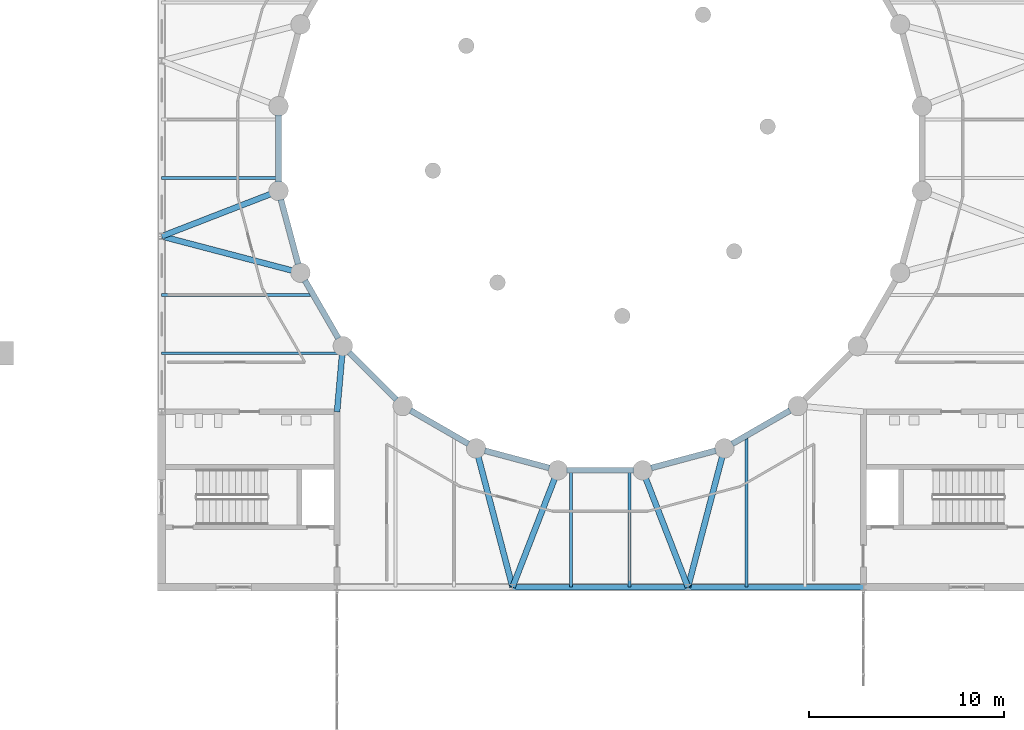
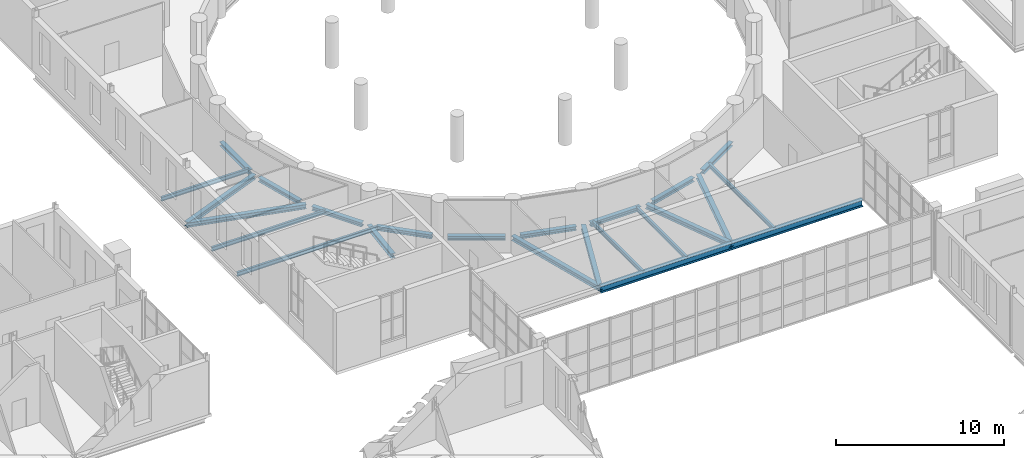
# One storey, part 45 of 134: 24 beams.
"""IFC4 building model written with IfcOpenShell, lengths in metres."""

from ifc_helpers import new_model, si_unit, direction, frame, origin, origin_2d, place, context, subcontext, project, spatial, i_section, extrude, material, material_profile, profile_set, type_object, element, save


model = new_model("IFC4")

# Units and contexts
model_context = context("Model", 3, precision=1e-05, world=origin(), true_north=direction((0.0, 1.0)))
body_context = subcontext(model_context, "Body", "Model", "MODEL_VIEW")
ifc_project = project(units=[si_unit("LENGTHUNIT", "METRE"), si_unit("AREAUNIT", "SQUARE_METRE"), si_unit("VOLUMEUNIT", "CUBIC_METRE"), si_unit("PLANEANGLEUNIT", "RADIAN"), si_unit("MASSUNIT", "GRAM", prefix="KILO")], contexts=[model_context])

# Site, building, storey
site_placement = place(None, origin())
site = spatial("IfcSite", under=ifc_project, at=site_placement, CompositionType="ELEMENT")
building_placement = place(site_placement, origin())
building = spatial("IfcBuilding", under=site, at=building_placement, Name="Golden Quay Civic Hall", CompositionType="ELEMENT")
storey_placement = place(building_placement, frame((0.0, 0.0, 5.39990234375)))
storey = spatial("IfcBuildingStorey", under=building, at=storey_placement, Name="L01", CompositionType="ELEMENT", Elevation=5.39990234375)

# Beams
ifc_material_1 = material(Name="Steel S355", Category="steel")
ifc_material_profile_1 = material_profile(ifc_material_1, i_section(OverallWidth=0.300048828125, OverallDepth=0.330078125, WebThickness=0.009521484375, FlangeThickness=0.0166015625, FilletRadius=0.027099609375, at=origin_2d()), Name="HEA 340")
ifc_profile_set_1 = profile_set([ifc_material_profile_1], Name="Steel S355")
beam_type_1 = type_object("IfcBeamType", Name="Steel girder HEA 340", PredefinedType="BEAM", material=ifc_profile_set_1)
beam_1_placement = place(storey_placement, frame((81.0, 63.0, -0.364990234375), z_axis=(0.361677257017, 0.932303363588, 0.0), x_axis=(-0.932303363588, 0.361677257017, 0.0)))
element("IfcBeam", 1, at=beam_1_placement, inside=storey, type_object=beam_type_1, Name="Radial girder 1", PredefinedType="BEAM", context=body_context, shape_type="SweptSolid", body=[
    extrude(i_section(OverallWidth=0.300048828125, OverallDepth=0.330078125, WebThickness=0.009521484375, FlangeThickness=0.0166015625, FilletRadius=0.027099609375, at=origin_2d()), origin(), (0.0, 0.0, 1.0), 6.435791015625),
])
beam_2_placement = place(storey_placement, frame((81.0, 63.0, -0.364990234375), z_axis=(-0.253703537011, 0.9672820247, 0.0), x_axis=(-0.9672820247, -0.253703537011, 0.0)))
element("IfcBeam", 2, at=beam_2_placement, inside=storey, type_object=beam_type_1, Name="Radial girder 2", PredefinedType="BEAM", context=body_context, shape_type="SweptSolid", body=[
    extrude(i_section(OverallWidth=0.300048828125, OverallDepth=0.330078125, WebThickness=0.009521484375, FlangeThickness=0.0166015625, FilletRadius=0.027099609375, at=origin_2d()), origin(), (0.0, 0.0, 1.0), 7.365478515625),
])
beam_3_placement = place(storey_placement, frame((90.0, 63.0, -0.364990234375), z_axis=(-0.361677257017, 0.932303363588, 0.0), x_axis=(-0.932303363588, -0.361677257017, 0.0)))
element("IfcBeam", 3, at=beam_3_placement, inside=storey, type_object=beam_type_1, Name="Radial girder 3", PredefinedType="BEAM", context=body_context, shape_type="SweptSolid", body=[
    extrude(i_section(OverallWidth=0.300048828125, OverallDepth=0.330078125, WebThickness=0.009521484375, FlangeThickness=0.0166015625, FilletRadius=0.027099609375, at=origin_2d()), origin(), (0.0, 0.0, 1.0), 6.435791015625),
])
beam_4_placement = place(storey_placement, frame((90.0, 63.0, -0.364990234375), z_axis=(0.253703537011, 0.9672820247, 0.0), x_axis=(-0.9672820247, 0.253703537011, 0.0)))
element("IfcBeam", 4, at=beam_4_placement, inside=storey, type_object=beam_type_1, Name="Radial girder 4", PredefinedType="BEAM", context=body_context, shape_type="SweptSolid", body=[
    extrude(i_section(OverallWidth=0.300048828125, OverallDepth=0.330078125, WebThickness=0.009521484375, FlangeThickness=0.0166015625, FilletRadius=0.027099609375, at=origin_2d()), origin(), (0.0, 0.0, 1.0), 7.365478515625),
])
beam_5_placement = place(storey_placement, frame((63.0, 81.0, -0.364990234375), z_axis=(0.932303363588, 0.361677257017, 0.0), x_axis=(-0.361677257017, 0.932303363588, 0.0)))
element("IfcBeam", 5, at=beam_5_placement, inside=storey, type_object=beam_type_1, Name="Radial girder 9", PredefinedType="BEAM", context=body_context, shape_type="SweptSolid", body=[
    extrude(i_section(OverallWidth=0.300048828125, OverallDepth=0.330078125, WebThickness=0.009521484375, FlangeThickness=0.0166015625, FilletRadius=0.027099609375, at=origin_2d()), origin(), (0.0, 0.0, 1.0), 6.435791015625),
])
beam_6_placement = place(storey_placement, frame((63.0, 81.0, -0.364990234375), z_axis=(0.9672820247, -0.253703537011, 0.0), x_axis=(0.253703537011, 0.9672820247, 0.0)))
element("IfcBeam", 6, at=beam_6_placement, inside=storey, type_object=beam_type_1, Name="Radial girder 10", PredefinedType="BEAM", context=body_context, shape_type="SweptSolid", body=[
    extrude(i_section(OverallWidth=0.300048828125, OverallDepth=0.330078125, WebThickness=0.009521484375, FlangeThickness=0.0166015625, FilletRadius=0.027099609375, at=origin_2d()), origin(), (0.0, 0.0, 1.0), 7.365478515625),
])
beam_7_placement = place(storey_placement, frame((72.0, 72.0, -0.364990234375), z_axis=(0.087716822918, 0.996145450714, 0.0), x_axis=(-0.996145450714, 0.087716822918, 0.0)))
element("IfcBeam", 7, at=beam_7_placement, inside=storey, type_object=beam_type_1, Name="Radial girder 17", PredefinedType="BEAM", context=body_context, shape_type="SweptSolid", body=[
    extrude(i_section(OverallWidth=0.300048828125, OverallDepth=0.330078125, WebThickness=0.009521484375, FlangeThickness=0.0166015625, FilletRadius=0.027099609375, at=origin_2d()), origin(), (0.0, 0.0, 1.0), 3.381591796875),
])
ifc_material_2 = material(Name="Steel S355", Category="steel")
ifc_material_profile_2 = material_profile(ifc_material_2, i_section(OverallWidth=0.300048828125, OverallDepth=0.489990234375, WebThickness=0.011962890625, FlangeThickness=0.02294921875, FilletRadius=0.027099609375, at=origin_2d()), Name="HEA 500")
ifc_profile_set_2 = profile_set([ifc_material_profile_2], Name="Steel S355")
beam_type_2 = type_object("IfcBeamType", Name="Steel girder HEA 500", PredefinedType="BEAM", material=ifc_profile_set_2)
for number, where, z_axis, x_axis, name in (
    (8, (81.0, 63.0, -0.44482421875), (1.0, 0.0, 0.0), (0.0, 1.0, 0.0), "Perimeter girder 5"),
    (9, (90.0, 63.0, -0.44482421875), (1.0, 0.0, 0.0), (0.0, 1.0, 0.0), "Perimeter girder 9"),
):
    element("IfcBeam", number, at=place(storey_placement, frame(where, z_axis=z_axis, x_axis=x_axis)), inside=storey, type_object=beam_type_2, Name=name, PredefinedType="BEAM", context=body_context, shape_type="SweptSolid", body=[
        extrude(i_section(OverallWidth=0.300048828125, OverallDepth=0.489990234375, WebThickness=0.011962890625, FlangeThickness=0.02294921875, FilletRadius=0.027099609375, at=origin_2d()), origin(), (0.0, 0.0, 1.0), 9.0),
    ])
ifc_material_3 = material(Name="Steel S355", Category="steel")
ifc_material_profile_3 = material_profile(ifc_material_3, i_section(OverallWidth=0.14990234375, OverallDepth=0.300048828125, WebThickness=0.007080078125, FlangeThickness=0.0107421875, FilletRadius=0.014892578125, at=origin_2d()), Name="IPE 300")
ifc_profile_set_3 = profile_set([ifc_material_profile_3], Name="Steel S355")
beam_type_3 = type_object("IfcBeamType", Name="Steel joist IPE 300", PredefinedType="JOIST", material=ifc_profile_set_3)
for number, where, z_axis, x_axis, name in (
    (10, (84.0, 63.0, -0.349853515625), (0.0, 1.0, 0.0), (-1.0, 0.0, 0.0), "Floor joist 3"),
    (11, (87.0, 63.0, -0.349853515625), (0.0, 1.0, 0.0), (-1.0, 0.0, 0.0), "Floor joist 4"),
):
    element("IfcBeam", number, at=place(storey_placement, frame(where, z_axis=z_axis, x_axis=x_axis)), inside=storey, type_object=beam_type_3, Name=name, PredefinedType="JOIST", context=body_context, shape_type="SweptSolid", body=[
        extrude(i_section(OverallWidth=0.14990234375, OverallDepth=0.300048828125, WebThickness=0.007080078125, FlangeThickness=0.0107421875, FilletRadius=0.014892578125, at=origin_2d()), origin(), (0.0, 0.0, 1.0), 6.0),
    ])
beam_8_placement = place(storey_placement, frame((93.0, 63.0, -0.349853515625), z_axis=(0.0, 1.0, 0.0), x_axis=(-1.0, 0.0, 0.0)))
element("IfcBeam", 12, at=beam_8_placement, inside=storey, type_object=beam_type_3, Name="Floor joist 5", PredefinedType="JOIST", context=body_context, shape_type="SweptSolid", body=[
    extrude(i_section(OverallWidth=0.14990234375, OverallDepth=0.300048828125, WebThickness=0.007080078125, FlangeThickness=0.0107421875, FilletRadius=0.014892578125, at=origin_2d()), origin(), (0.0, 0.0, 1.0), 7.777587890625),
])
beam_9_placement = place(storey_placement, frame((63.0, 75.0, -0.349853515625), z_axis=(1.0, 0.0, 0.0), x_axis=(0.0, 1.0, 0.0)))
element("IfcBeam", 13, at=beam_9_placement, inside=storey, type_object=beam_type_3, Name="Floor joist 13", PredefinedType="JOIST", context=body_context, shape_type="SweptSolid", body=[
    extrude(i_section(OverallWidth=0.14990234375, OverallDepth=0.300048828125, WebThickness=0.007080078125, FlangeThickness=0.0107421875, FilletRadius=0.014892578125, at=origin_2d()), origin(), (0.0, 0.0, 1.0), 9.66552734375),
])
beam_10_placement = place(storey_placement, frame((63.0, 78.0, -0.349853515625), z_axis=(1.0, 0.0, 0.0), x_axis=(0.0, 1.0, 0.0)))
element("IfcBeam", 14, at=beam_10_placement, inside=storey, type_object=beam_type_3, Name="Floor joist 14", PredefinedType="JOIST", context=body_context, shape_type="SweptSolid", body=[
    extrude(i_section(OverallWidth=0.14990234375, OverallDepth=0.300048828125, WebThickness=0.007080078125, FlangeThickness=0.0107421875, FilletRadius=0.014892578125, at=origin_2d()), origin(), (0.0, 0.0, 1.0), 7.777587890625),
])
beam_11_placement = place(storey_placement, frame((63.0, 84.0, -0.349853515625), z_axis=(1.0, 0.0, 0.0), x_axis=(0.0, 1.0, 0.0)))
element("IfcBeam", 15, at=beam_11_placement, inside=storey, type_object=beam_type_3, Name="Floor joist 15", PredefinedType="JOIST", context=body_context, shape_type="SweptSolid", body=[
    extrude(i_section(OverallWidth=0.14990234375, OverallDepth=0.300048828125, WebThickness=0.007080078125, FlangeThickness=0.0107421875, FilletRadius=0.014892578125, at=origin_2d()), origin(), (0.0, 0.0, 1.0), 6.0),
])
ifc_material_4 = material(Name="Steel S355", Category="steel")
ifc_material_profile_4 = material_profile(ifc_material_4, i_section(OverallWidth=0.300048828125, OverallDepth=0.2900390625, WebThickness=0.008544921875, FlangeThickness=0.013916015625, FilletRadius=0.027099609375, at=origin_2d()), Name="HEA 300")
ifc_profile_set_4 = profile_set([ifc_material_profile_4], Name="Steel S355")
beam_type_4 = type_object("IfcBeamType", Name="Steel ring girder HEA 300", PredefinedType="BEAM", material=ifc_profile_set_4)
beam_12_placement = place(storey_placement, frame((69.0, 87.22216796875, -0.344970703125), z_axis=(0.0, -1.0, 0.0), x_axis=(1.0, 0.0, 0.0)))
element("IfcBeam", 16, at=beam_12_placement, inside=storey, type_object=beam_type_4, Name="Rotunda ring girder segment 12", PredefinedType="BEAM", context=body_context, shape_type="SweptSolid", body=[
    extrude(i_section(OverallWidth=0.300048828125, OverallDepth=0.2900390625, WebThickness=0.008544921875, FlangeThickness=0.013916015625, FilletRadius=0.027099609375, at=origin_2d()), origin(), (0.0, 0.0, 1.0), 3.4443359375),
])
for number, where, z_axis, x_axis, name in (
    (17, (69.116455078125, 82.89306640625, -0.344970703125), (0.258844730128, -0.965918943641, 0.0), (0.965918943641, 0.258844730128, 0.0), "Rotunda ring girder segment 13"),
    (18, (70.349365234375, 78.741455078125, -0.344970703125), (0.500049671601, -0.865996723973, 0.0), (0.865996723973, 0.500049671601, 0.0), "Rotunda ring girder segment 14"),
):
    element("IfcBeam", number, at=place(storey_placement, frame(where, z_axis=z_axis, x_axis=x_axis)), inside=storey, type_object=beam_type_4, Name=name, PredefinedType="BEAM", context=body_context, shape_type="SweptSolid", body=[
        extrude(i_section(OverallWidth=0.300048828125, OverallDepth=0.2900390625, WebThickness=0.008544921875, FlangeThickness=0.013916015625, FilletRadius=0.027099609375, at=origin_2d()), origin(), (0.0, 0.0, 1.0), 3.444580078125),
    ])
beam_13_placement = place(storey_placement, frame((72.614990234375, 75.050537109375, -0.344970703125), z_axis=(0.707106781187, -0.707106781187, 0.0), x_axis=(0.707106781187, 0.707106781187, 0.0)))
element("IfcBeam", 19, at=beam_13_placement, inside=storey, type_object=beam_type_4, Name="Rotunda ring girder segment 15", PredefinedType="BEAM", context=body_context, shape_type="SweptSolid", body=[
    extrude(i_section(OverallWidth=0.300048828125, OverallDepth=0.2900390625, WebThickness=0.008544921875, FlangeThickness=0.013916015625, FilletRadius=0.027099609375, at=origin_2d()), origin(), (0.0, 0.0, 1.0), 3.4443359375),
])
for number, where, z_axis, x_axis, name in (
    (20, (75.758544921875, 72.07177734375, -0.344970703125), (0.865996723973, -0.500049671601, 0.0), (0.500049671601, 0.865996723973, 0.0), "Rotunda ring girder segment 16"),
    (21, (79.56591796875, 70.008056640625, -0.344970703125), (0.965918943641, -0.258844730128, 0.0), (0.258844730128, 0.965918943641, 0.0), "Rotunda ring girder segment 17"),
):
    element("IfcBeam", number, at=place(storey_placement, frame(where, z_axis=z_axis, x_axis=x_axis)), inside=storey, type_object=beam_type_4, Name=name, PredefinedType="BEAM", context=body_context, shape_type="SweptSolid", body=[
        extrude(i_section(OverallWidth=0.300048828125, OverallDepth=0.2900390625, WebThickness=0.008544921875, FlangeThickness=0.013916015625, FilletRadius=0.027099609375, at=origin_2d()), origin(), (0.0, 0.0, 1.0), 3.444580078125),
    ])
beam_14_placement = place(storey_placement, frame((83.77783203125, 69.0, -0.344970703125), z_axis=(1.0, 0.0, 0.0), x_axis=(0.0, 1.0, 0.0)))
element("IfcBeam", 22, at=beam_14_placement, inside=storey, type_object=beam_type_4, Name="Rotunda ring girder segment 18", PredefinedType="BEAM", context=body_context, shape_type="SweptSolid", body=[
    extrude(i_section(OverallWidth=0.300048828125, OverallDepth=0.2900390625, WebThickness=0.008544921875, FlangeThickness=0.013916015625, FilletRadius=0.027099609375, at=origin_2d()), origin(), (0.0, 0.0, 1.0), 3.4443359375),
])
for number, where, z_axis, x_axis, name in (
    (23, (88.10693359375, 69.116455078125, -0.344970703125), (0.965918943641, 0.258844730128, 0.0), (-0.258844730128, 0.965918943641, 0.0), "Rotunda ring girder segment 19"),
    (24, (92.258544921875, 70.349365234375, -0.344970703125), (0.865996723973, 0.500049671601, 0.0), (-0.500049671601, 0.865996723973, 0.0), "Rotunda ring girder segment 20"),
):
    element("IfcBeam", number, at=place(storey_placement, frame(where, z_axis=z_axis, x_axis=x_axis)), inside=storey, type_object=beam_type_4, Name=name, PredefinedType="BEAM", context=body_context, shape_type="SweptSolid", body=[
        extrude(i_section(OverallWidth=0.300048828125, OverallDepth=0.2900390625, WebThickness=0.008544921875, FlangeThickness=0.013916015625, FilletRadius=0.027099609375, at=origin_2d()), origin(), (0.0, 0.0, 1.0), 3.444580078125),
    ])

save(model, "model.ifc")
